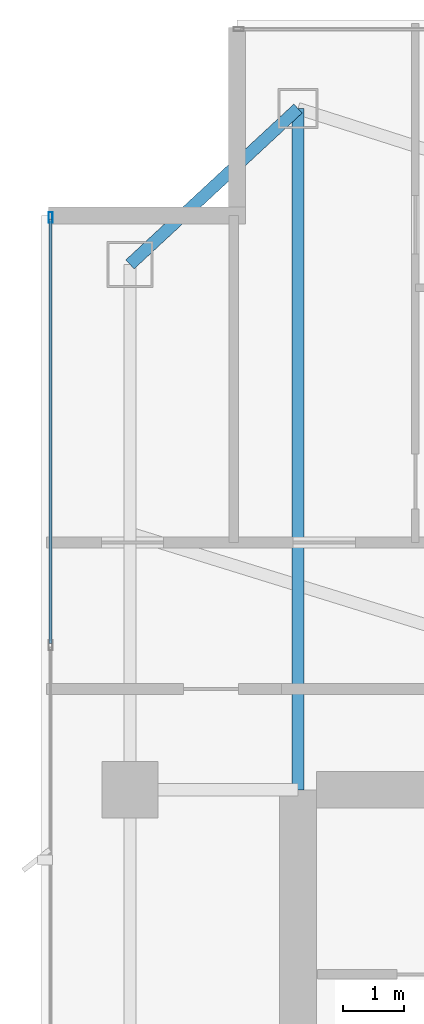
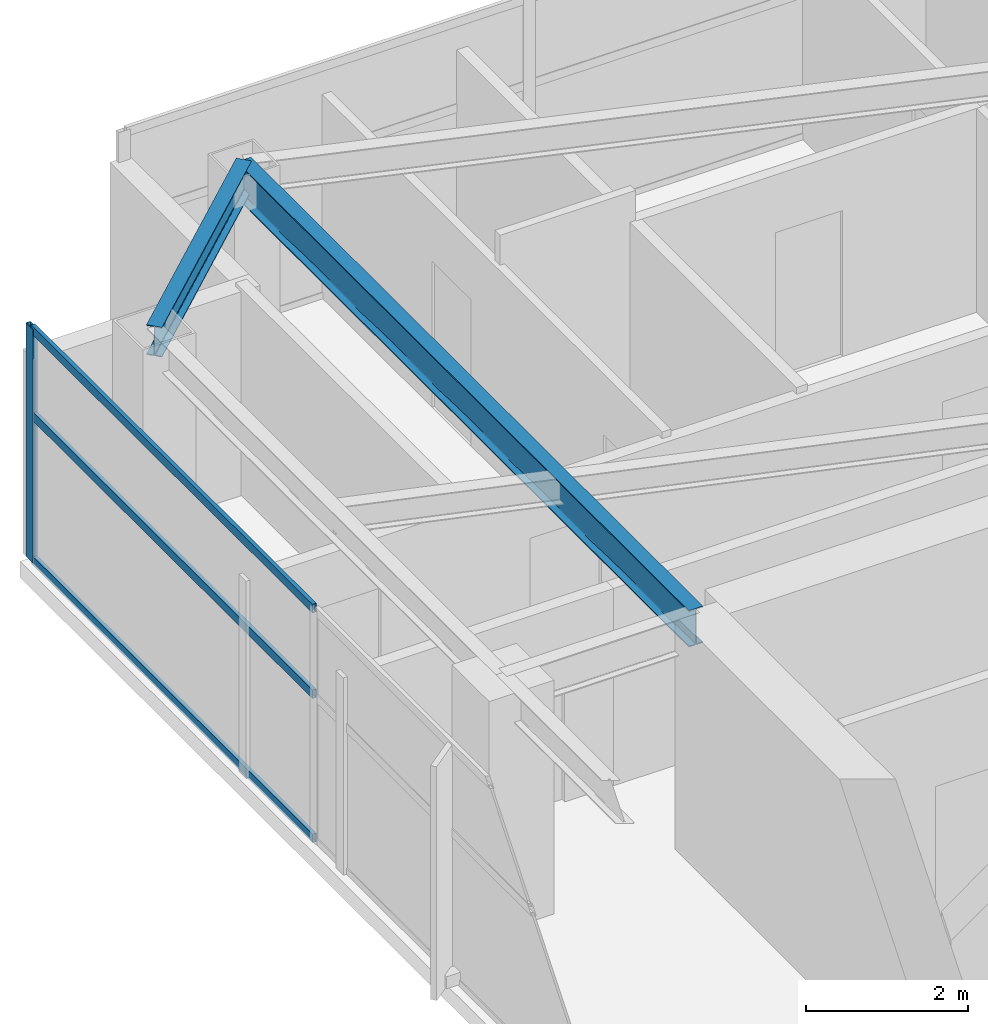
# One storey, part 16 of 27: 4 members, 2 beams, 1 element without a shape of its own.
"""IFC4 building model written with IfcOpenShell, lengths in metres."""

import ifcopenshell
import ifcopenshell.guid

model = None  # the IFC model being written
_history = None  # IfcOwnerHistory: only IFC2X3 demands one
_inside = {}  # id of a spatial element -> (the spatial element, [elements in it])
_under = {}  # id of a project, library or spatial element -> (it, [spatial elements below it])
_declared = {}  # id of a project -> (the project, [libraries it declares])
_typed = {}  # id of a type object -> (the type object, [elements of that type])
_made_of = {}  # id of a material, layer set ... -> (it, [elements and type objects made of it])


def new_model(schema):
    """Start an empty IFC model of exactly this schema.

    Asked for "IFC4X3", IfcOpenShell would pick the latest addendum, in which some entities
    have other attributes; the version numbers below select the first issue.
    IFC2X3 requires an IfcOwnerHistory on every rooted entity: one is made here for all.
    """
    global model, _history
    if schema == "IFC4X3":
        model = ifcopenshell.file(schema_version=(4, 3, 0, 0))
    else:
        model = ifcopenshell.file(schema=schema)
    _inside.clear()
    _under.clear()
    _declared.clear()
    _typed.clear()
    _made_of.clear()
    _history = None
    if model.schema == "IFC2X3":
        org = make("IfcOrganization", Name="unknown")
        user = make(
            "IfcPersonAndOrganization",
            ThePerson=make("IfcPerson", FamilyName="unknown"),
            TheOrganization=org,
        )
        app = make(
            "IfcApplication",
            ApplicationDeveloper=org,
            Version="unknown",
            ApplicationFullName="unknown",
            ApplicationIdentifier="unknown",
        )
        _history = make(
            "IfcOwnerHistory",
            OwningUser=user,
            OwningApplication=app,
            ChangeAction="ADDED",
            CreationDate=0,
        )
    return model


def make(cls, **values):
    """One entity of the class cls with the attributes given. An attribute that is None is left unset."""
    return model.create_entity(
        cls, **{name: value for name, value in values.items() if value is not None}
    )


def rooted(cls, **values):
    """An entity with a GlobalId (a new one), such as an element, a storey or a relation."""
    return make(cls, GlobalId=ifcopenshell.guid.new(), OwnerHistory=_history, **values)


def si_unit(unit_type, name, prefix=None):
    """IfcSIUnit, for example si_unit("LENGTHUNIT", "METRE", prefix="MILLI")."""
    return make("IfcSIUnit", UnitType=unit_type, Prefix=prefix, Name=name)


def assignment(units):
    """IfcUnitAssignment: the units of a project."""
    return None if units is None else make("IfcUnitAssignment", Units=units)


def point(xyz):
    """IfcCartesianPoint."""
    return None if xyz is None else make("IfcCartesianPoint", Coordinates=xyz)


def direction(xyz):
    """IfcDirection."""
    return None if xyz is None else make("IfcDirection", DirectionRatios=xyz)


def frame(location, z_axis=None, x_axis=None):
    """IfcAxis2Placement3D, a coordinate frame: its origin and axes. An axis left out is left unset."""
    return make(
        "IfcAxis2Placement3D",
        Location=point(location),
        Axis=direction(z_axis),
        RefDirection=direction(x_axis),
    )


def frame_2d(location, x_axis=None):
    """IfcAxis2Placement2D, a coordinate frame in the plane: its origin and x axis."""
    return make(
        "IfcAxis2Placement2D", Location=point(location), RefDirection=direction(x_axis)
    )


def origin():
    """The frame at (0, 0, 0) with its axes left unset."""
    return frame((0.0, 0.0, 0.0))


def origin_2d():
    """The frame at (0, 0) in the plane with its x axis left unset."""
    return frame_2d((0.0, 0.0))


def place(relative_to, where):
    """IfcLocalPlacement: puts the frame where relative to a parent placement (None: the world)."""
    return make(
        "IfcLocalPlacement", PlacementRelTo=relative_to, RelativePlacement=where
    )


def context(
    kind, dimensions, precision=None, world=None, true_north=None, identifier=None
):
    """IfcGeometricRepresentationContext, for example the 3D "Model" context."""
    return make(
        "IfcGeometricRepresentationContext",
        ContextIdentifier=identifier,
        ContextType=kind,
        CoordinateSpaceDimension=dimensions,
        Precision=precision,
        WorldCoordinateSystem=world,
        TrueNorth=true_north,
    )


def subcontext(parent, identifier, kind, view, scale=None):
    """IfcGeometricRepresentationSubContext, for example "Body" below "Model"."""
    return make(
        "IfcGeometricRepresentationSubContext",
        ContextIdentifier=identifier,
        ContextType=kind,
        ParentContext=parent,
        TargetScale=scale,
        TargetView=view,
    )


def project(units=None, contexts=None):
    """IfcProject with its units and contexts."""
    return rooted(
        "IfcProject",
        Name="project",
        RepresentationContexts=contexts,
        UnitsInContext=assignment(units),
    )


def spatial(cls, under=None, at=None, **own):
    """A site, building, storey or space (cls), placed at a placement, below another one or the project."""
    s = rooted(cls, ObjectPlacement=at, **own)
    if under is not None:
        _under.setdefault(under.id(), (under, []))[1].append(s)
    return s


def profile(cls, at=None, kind="AREA", **sizes):
    """A parametric profile (cls). Its sizes go by their IFC names, for example OverallWidth=200.0."""
    return make(cls, ProfileType=kind, Position=at, **sizes)


def hollow_rectangle(**sizes):
    """IfcRectangleHollowProfileDef."""
    return profile("IfcRectangleHollowProfileDef", **sizes)


def i_section(**sizes):
    """IfcIShapeProfileDef."""
    return profile("IfcIShapeProfileDef", **sizes)


def extrude(swept, where, along, depth):
    """IfcExtrudedAreaSolid: the profile swept, set in the frame where, extruded along a direction by depth."""
    return make(
        "IfcExtrudedAreaSolid",
        SweptArea=swept,
        Position=where,
        ExtrudedDirection=direction(along),
        Depth=depth,
    )


def shape(context_of_items, identifier, shape_type, items):
    """IfcShapeRepresentation: the items that make up one representation, for example the "Body"."""
    return make(
        "IfcShapeRepresentation",
        ContextOfItems=context_of_items,
        RepresentationIdentifier=identifier,
        RepresentationType=shape_type,
        Items=items,
    )


def material(Name=None, Category=None):
    """IfcMaterial."""
    return make("IfcMaterial", Name=Name, Category=Category)


def layer(
    of_material, thickness, ventilated=None, Name=None, Category=None, Priority=None
):
    """IfcMaterialLayer: one layer of a wall or slab, of a material (None: an air gap)."""
    return make(
        "IfcMaterialLayer",
        Material=of_material,
        LayerThickness=thickness,
        IsVentilated=ventilated,
        Name=Name,
        Category=Category,
        Priority=Priority,
    )


def layer_set(layers, Name=None):
    """IfcMaterialLayerSet."""
    return make("IfcMaterialLayerSet", MaterialLayers=layers, LayerSetName=Name)


def material_profile(
    of_material, cross_section, Name=None, Category=None, Priority=None
):
    """IfcMaterialProfile: a cross section and its material."""
    return make(
        "IfcMaterialProfile",
        Name=Name,
        Material=of_material,
        Profile=cross_section,
        Priority=Priority,
        Category=Category,
    )


def profile_set(profiles, Name=None, composite=None):
    """IfcMaterialProfileSet."""
    return make(
        "IfcMaterialProfileSet",
        Name=Name,
        MaterialProfiles=profiles,
        CompositeProfile=composite,
    )


def made_of(thing, what):
    """Note that an element or type object is made of a material, layer set ...; save() writes the relation."""
    if what is not None:
        _made_of.setdefault(what.id(), (what, []))[1].append(thing)
    return thing


def type_object(cls, material=None, **own):
    """A type object (cls), such as IfcWallType, which elements share."""
    return made_of(rooted(cls, **own), material)


def element(
    cls,
    number,
    at=None,
    inside=None,
    cuts=None,
    type_object=None,
    material=None,
    context=None,
    identifier="Body",
    shape_type=None,
    held_by="IfcProductDefinitionShape",
    body=None,
    shapes=None,
    **own,
):
    """One element of the class cls, such as IfcWall. Its Tag is "e" and its number.

    at: its placement. inside: the storey or other place that contains it. cuts: it is an
    opening in that element (IfcRelVoidsElement). A single representation is given by context,
    identifier, shape_type and body (its items); several are given by shapes. held_by: the class
    of the entity that holds the representations. save() writes the other relations.
    """
    e = rooted(cls, Tag="e%d" % number, ObjectPlacement=at, **own)
    if body is not None:
        shapes = [shape(context, identifier, shape_type, body)]
    if shapes is not None:
        e.Representation = make(held_by, Representations=shapes)
    if inside is not None:
        _inside.setdefault(inside.id(), (inside, []))[1].append(e)
    if cuts is not None:
        rooted(
            "IfcRelVoidsElement", RelatingBuildingElement=cuts, RelatedOpeningElement=e
        )
    if type_object is not None:
        _typed.setdefault(type_object.id(), (type_object, []))[1].append(e)
    return made_of(e, material)


def aggregate(whole, parts):
    """IfcRelAggregates: a whole, such as a stair, and the parts it consists of."""
    return rooted("IfcRelAggregates", RelatingObject=whole, RelatedObjects=parts)


def save(model, path):
    """Write the relations noted so far, then the file.

    IfcRelAggregates (storeys below a building ...), IfcRelContainedInSpatialStructure (elements
    in a storey), IfcRelDefinesByType, IfcRelAssociatesMaterial and IfcRelDeclares: one each for
    every whole, place, type object, material and project.
    """
    for whole, parts in _under.values():
        aggregate(whole, parts)
    for where, things in _inside.values():
        rooted(
            "IfcRelContainedInSpatialStructure",
            RelatedElements=things,
            RelatingStructure=where,
        )
    for kind, things in _typed.values():
        rooted("IfcRelDefinesByType", RelatedObjects=things, RelatingType=kind)
    for what, things in _made_of.values():
        rooted("IfcRelAssociatesMaterial", RelatedObjects=things, RelatingMaterial=what)
    for by, libraries in _declared.values():
        rooted("IfcRelDeclares", RelatingContext=by, RelatedDefinitions=libraries)
    model.write(path)


model = new_model("IFC4")

# Units and contexts
model_context = context("Model", 3, precision=1e-05, world=origin(), true_north=direction((0.0, 1.0)))
body_context = subcontext(model_context, "Body", "Model", "MODEL_VIEW")
ifc_project = project(units=[si_unit("LENGTHUNIT", "METRE"), si_unit("AREAUNIT", "SQUARE_METRE"), si_unit("VOLUMEUNIT", "CUBIC_METRE"), si_unit("PLANEANGLEUNIT", "RADIAN"), si_unit("MASSUNIT", "GRAM", prefix="KILO")], contexts=[model_context])

# Site, building, storey
site_placement = place(None, origin())
site = spatial("IfcSite", under=ifc_project, at=site_placement, CompositionType="ELEMENT")
building_placement = place(site_placement, origin())
building = spatial("IfcBuilding", under=site, at=building_placement, Name="Calvorn Quay Hotel", CompositionType="ELEMENT")
storey_placement = place(building_placement, frame((0.0, 0.0, 278.699951171875)))
storey = spatial("IfcBuildingStorey", under=building, at=storey_placement, Name="L69", CompositionType="ELEMENT", Elevation=278.699951171875)

# Beams
ifc_material_1 = material(Name="Steel Q355B", Category="steel")
ifc_material_profile_1 = material_profile(ifc_material_1, i_section(OverallWidth=0.199951171875, OverallDepth=0.550048828125, WebThickness=0.010009765625, FlangeThickness=0.01611328125, FilletRadius=0.01806640625, at=origin_2d()), Name="HN550x200x10x16")
ifc_profile_set_1 = profile_set([ifc_material_profile_1], Name="Steel Q355B")
beam_type_1 = type_object("IfcBeamType", Name="BM-GIRD-UPP", PredefinedType="BEAM", material=ifc_profile_set_1)
beam_1_placement = place(storey_placement, frame((4.199951171875, 49.550048828125, 3.2451171875), z_axis=(0.0, -1.0, 0.0), x_axis=(1.0, 0.0, 0.0)))
element("IfcBeam", 1, at=beam_1_placement, inside=storey, type_object=beam_type_1, Name="Beam BG-L69-W5", PredefinedType="BEAM", context=body_context, shape_type="SweptSolid", body=[
    extrude(i_section(OverallWidth=0.199951171875, OverallDepth=0.550048828125, WebThickness=0.010009765625, FlangeThickness=0.01611328125, FilletRadius=0.01806640625, at=origin_2d()), origin(), (0.0, 0.0, 1.0), 11.150146484375),
])
ifc_material_2 = material(Name="Steel Q355B", Category="steel")
ifc_material_profile_2 = material_profile(ifc_material_2, i_section(OverallWidth=0.199951171875, OverallDepth=0.449951171875, WebThickness=0.009033203125, FlangeThickness=0.013916015625, FilletRadius=0.01611328125, at=origin_2d()), Name="HN450x200x9x14")
ifc_profile_set_2 = profile_set([ifc_material_profile_2], Name="Steel Q355B")
beam_type_2 = type_object("IfcBeamType", Name="BM-SPANDREL-Z3", PredefinedType="SPANDREL", material=ifc_profile_set_2)
beam_2_placement = place(storey_placement, frame((1.449951171875, 47.0, 3.295166015625), z_axis=(0.733261665538, 0.679946563969, 0.0), x_axis=(-0.679946563969, 0.733261665538, 0.0)))
element("IfcBeam", 2, at=beam_2_placement, inside=storey, type_object=beam_type_2, Name="Beam BSP-L69-W5", PredefinedType="SPANDREL", context=body_context, shape_type="SweptSolid", body=[
    extrude(i_section(OverallWidth=0.199951171875, OverallDepth=0.449951171875, WebThickness=0.009033203125, FlangeThickness=0.013916015625, FilletRadius=0.01611328125, at=origin_2d()), origin(), (0.0, 0.0, 1.0), 3.75048828125),
])

# Curtain wall, members
ifc_material_3 = material(Name="Champagne Bronze Anodised Aluminium and Low-E Glass", Category="aluminium")
ifc_layer = layer(ifc_material_3, 0.219970703125)
ifc_layer_set = layer_set([ifc_layer], Name="CW-SYS-Z4")
curtain_wall_type = type_object("IfcCurtainWallType", Name="CW-SYS-Z4", PredefinedType="NOTDEFINED", material=ifc_layer_set)
curtain_wall_placement = place(storey_placement, origin())
curtain_wall = element("IfcCurtainWall", 3, at=curtain_wall_placement, inside=storey, type_object=curtain_wall_type, Name="Tower West Curtain Wall (L69)", PredefinedType="NOTDEFINED")
ifc_material_4 = material(Name="Champagne Bronze Anodised Aluminium 6063-T6", Category="aluminium")
ifc_material_profile_3 = material_profile(ifc_material_4, hollow_rectangle(XDim=0.06494140625, YDim=0.169921875, WallThickness=0.00341796875, at=origin_2d()), Name="ALU-M170x65x3.5")
ifc_profile_set_3 = profile_set([ifc_material_profile_3], Name="Champagne Bronze Anodised Aluminium 6063-T6")
member_type_1 = type_object("IfcMemberType", Name="CW-SYS-Z4-MUL", PredefinedType="MULLION", material=ifc_profile_set_3)
member_1_placement = place(storey_placement, frame((0.14990234375, 47.77001953125, 0.0), z_axis=(0.0, 0.0, 1.0), x_axis=(-1.0, 0.0, 0.0)))
member_1 = element("IfcMember", 4, at=member_1_placement, type_object=member_type_1, Name="CW-L69-W mullion 7", PredefinedType="MULLION", context=body_context, shape_type="SweptSolid", body=[
    extrude(hollow_rectangle(XDim=0.06494140625, YDim=0.169921875, WallThickness=0.00341796875, at=origin_2d()), origin(), (0.0, 0.0, 1.0), 3.52001953125),
])
ifc_material_5 = material(Name="Champagne Bronze Anodised Aluminium 6063-T6", Category="aluminium")
ifc_material_profile_4 = material_profile(ifc_material_5, hollow_rectangle(XDim=0.054931640625, YDim=0.1298828125, WallThickness=0.003173828125, at=origin_2d()), Name="ALU-T130x55x3.2")
ifc_profile_set_4 = profile_set([ifc_material_profile_4], Name="Champagne Bronze Anodised Aluminium 6063-T6")
member_type_2 = type_object("IfcMemberType", Name="CW-SYS-Z4-TRN", PredefinedType="USERDEFINED", material=ifc_profile_set_4)
member_2_placement = place(storey_placement, frame((0.14990234375, 40.796630859375, 0.030029296875), z_axis=(0.0, 1.0, 0.0), x_axis=(-1.0, 0.0, 0.0)))
member_2 = element("IfcMember", 5, at=member_2_placement, type_object=member_type_2, Name="CW-L69-W transom 6.1", ObjectType="TRANSOM", PredefinedType="USERDEFINED", context=body_context, shape_type="SweptSolid", body=[
    extrude(hollow_rectangle(XDim=0.054931640625, YDim=0.1298828125, WallThickness=0.003173828125, at=origin_2d()), origin(), (0.0, 0.0, 1.0), 6.943359375),
])
member_3_placement = place(storey_placement, frame((0.14990234375, 40.796630859375, 2.199951171875), z_axis=(0.0, 1.0, 0.0), x_axis=(-1.0, 0.0, 0.0)))
member_3 = element("IfcMember", 6, at=member_3_placement, type_object=member_type_2, Name="CW-L69-W transom 6.2", ObjectType="TRANSOM", PredefinedType="USERDEFINED", context=body_context, shape_type="SweptSolid", body=[
    extrude(hollow_rectangle(XDim=0.054931640625, YDim=0.1298828125, WallThickness=0.003173828125, at=origin_2d()), origin(), (0.0, 0.0, 1.0), 6.943359375),
])
member_4_placement = place(storey_placement, frame((0.14990234375, 40.796630859375, 3.489990234375), z_axis=(0.0, 1.0, 0.0), x_axis=(-1.0, 0.0, 0.0)))
member_4 = element("IfcMember", 7, at=member_4_placement, type_object=member_type_2, Name="CW-L69-W transom 6.3", ObjectType="TRANSOM", PredefinedType="USERDEFINED", context=body_context, shape_type="SweptSolid", body=[
    extrude(hollow_rectangle(XDim=0.054931640625, YDim=0.1298828125, WallThickness=0.003173828125, at=origin_2d()), origin(), (0.0, 0.0, 1.0), 6.943359375),
])
aggregate(curtain_wall, [member_1, member_2, member_3, member_4])

save(model, "model.ifc")
